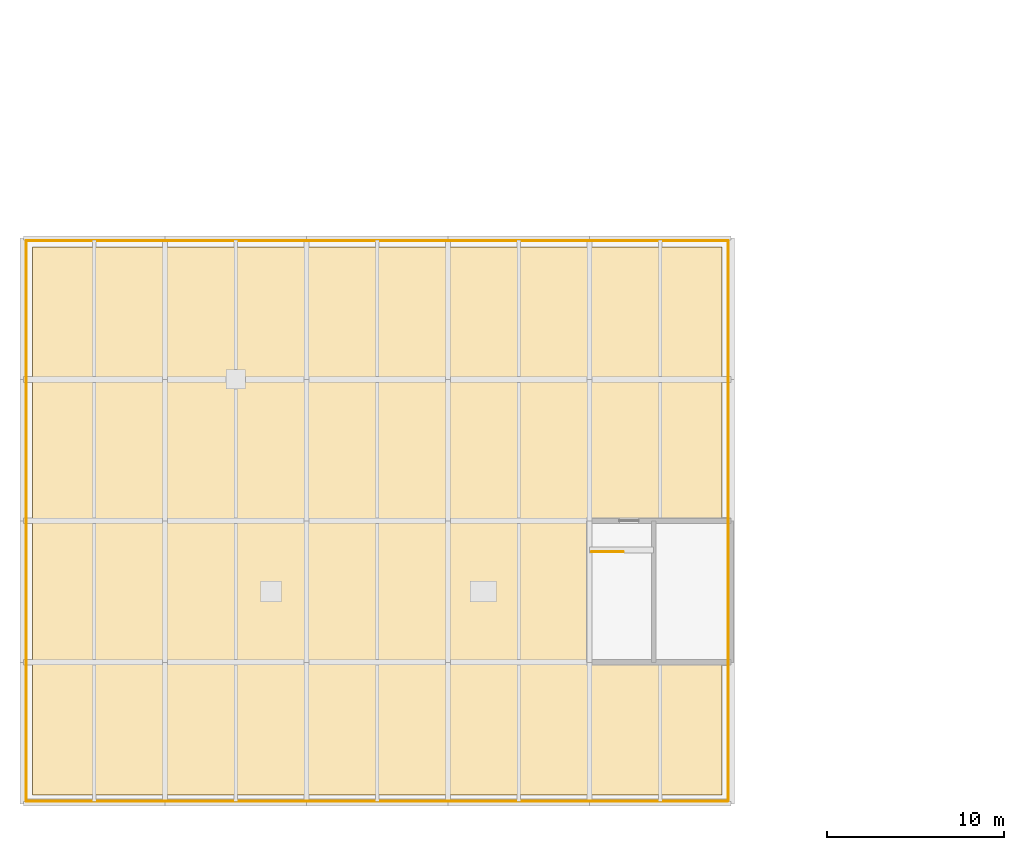
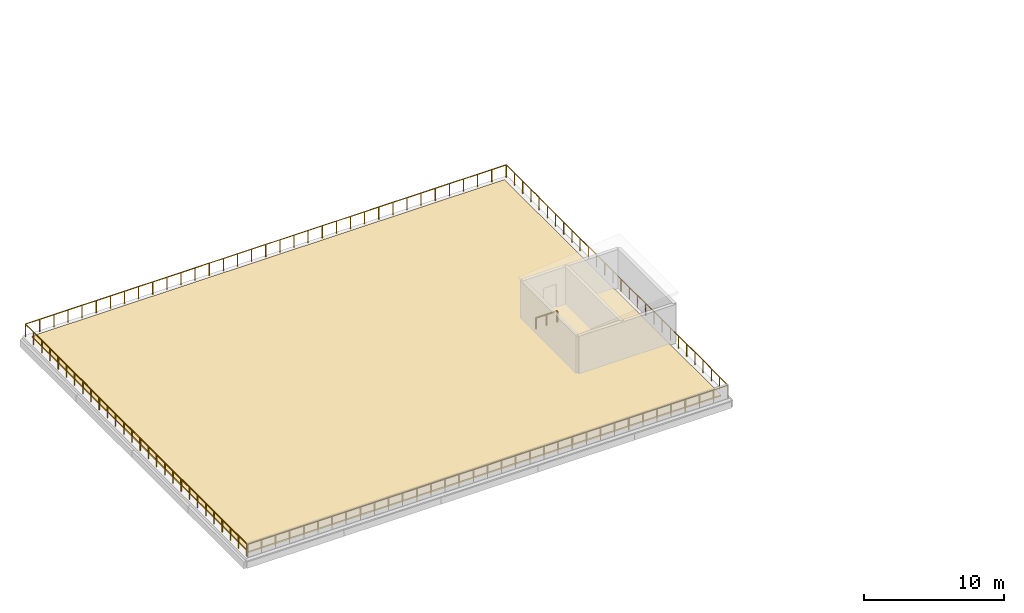
# One storey, part 11 of 15: 5 railings, 1 covering.
"""IFC4 building model written with IfcOpenShell, lengths in metres."""

from ifc_helpers import new_model, si_unit, direction, frame, origin, origin_2d, place, context, subcontext, project, spatial, polyline, circle, outline, extrude, material, layer, layer_set, type_object, element, save


model = new_model("IFC4")

# Units and contexts
model_context = context("Model", 3, precision=1e-05, world=origin(), true_north=direction((0.0, 1.0)))
body_context = subcontext(model_context, "Body", "Model", "MODEL_VIEW")
ifc_project = project(units=[si_unit("LENGTHUNIT", "METRE"), si_unit("AREAUNIT", "SQUARE_METRE"), si_unit("VOLUMEUNIT", "CUBIC_METRE"), si_unit("PLANEANGLEUNIT", "RADIAN"), si_unit("MASSUNIT", "GRAM", prefix="KILO")], contexts=[model_context])

# Site, building, storey
site_placement = place(None, origin())
site = spatial("IfcSite", under=ifc_project, at=site_placement, CompositionType="ELEMENT")
building_placement = place(site_placement, origin())
building = spatial("IfcBuilding", under=site, at=building_placement, Name="Vharandega Faculty of Natural Sciences", CompositionType="ELEMENT")
storey_placement = place(building_placement, frame((0.0, 0.0, 32.39990234375)))
storey = spatial("IfcBuildingStorey", under=building, at=storey_placement, Name="L08", CompositionType="ELEMENT", Elevation=32.39990234375)

# Covering
ifc_material_1 = material(Name="Planted green roof substrate and membrane", Category="concrete")
ifc_layer = layer(ifc_material_1, 0.1201171875, Name="Planted green roof substrate and membrane")
ifc_layer_set = layer_set([ifc_layer], Name="Planted green roof substrate and membrane")
covering_type = type_object("IfcCoveringType", Name="Planted Intensive Green Roof Build-Up", PredefinedType="ROOFING", material=ifc_layer_set)
covering_placement = place(storey_placement, origin())
element("IfcCovering", 1, at=covering_placement, inside=storey, type_object=covering_type, Name="Roof Covering L08-04", PredefinedType="ROOFING", context=body_context, shape_type="SweptSolid", body=[
    extrude(outline(polyline([(0.5, 32.5), (39.5, 32.5), (39.5, 63.5), (0.5, 63.5), (0.5, 32.5)])), origin(), (0.0, 0.0, 1.0), 0.1201171875),
])

# Railings
ifc_material_2 = material(Name="Painted steel stair guardrail", Category="steel")
railing_type_1 = type_object("IfcRailingType", Name="Stairwell Steel Guardrail 1100", PredefinedType="GUARDRAIL", material=ifc_material_2)
railing_1_placement = place(storey_placement, frame((32.139892578125, 46.260009765625, 0.0)))
element("IfcRailing", 2, at=railing_1_placement, inside=storey, type_object=railing_type_1, Name="L08 ST3 top well guard 1", PredefinedType="GUARDRAIL", context=body_context, shape_type="SweptSolid", body=[
    extrude(circle(Radius=0.02392578125, at=origin_2d()), frame((0.0, 0.0, 1.076171875), z_axis=(1.0, 0.0, 0.0), x_axis=(0.0, 1.0, 0.0)), (0.0, 0.0, 1.0), 1.77001953125),
    extrude(circle(Radius=0.02099609375, at=origin_2d()), origin(), (0.0, 0.0, 1.0), 1.052001953125),
    extrude(circle(Radius=0.02099609375, at=origin_2d()), frame((0.885009765625, 0.0, 0.0)), (0.0, 0.0, 1.0), 1.052001953125),
    extrude(circle(Radius=0.02099609375, at=origin_2d()), frame((1.77001953125, 0.0, 0.0)), (0.0, 0.0, 1.0), 1.052001953125),
])
ifc_material_3 = material(Name="Galvanised painted steel balustrade", Category="steel")
railing_type_2 = type_object("IfcRailingType", Name="Terrace Steel Guardrail 1100", PredefinedType="GUARDRAIL", material=ifc_material_3)
railing_2_placement = place(storey_placement, frame((0.175048828125, 32.14990234375, 0.0)))
element("IfcRailing", 3, at=railing_2_placement, inside=storey, type_object=railing_type_2, Name="Guardrail L08 #1", PredefinedType="GUARDRAIL", context=body_context, shape_type="SweptSolid", body=[
    extrude(circle(Radius=0.02392578125, at=origin_2d()), frame((0.0, 0.0, 1.076171875), z_axis=(1.0, 0.0, 0.0), x_axis=(0.0, 1.0, 0.0)), (0.0, 0.0, 1.0), 39.64990234375),
    extrude(circle(Radius=0.02099609375, at=origin_2d()), origin(), (0.0, 0.0, 1.0), 1.052001953125),
    extrude(circle(Radius=0.02099609375, at=origin_2d()), frame((1.166259765625, 0.0, 0.0)), (0.0, 0.0, 1.0), 1.052001953125),
    extrude(circle(Radius=0.02099609375, at=origin_2d()), frame((2.332275390625, 0.0, 0.0)), (0.0, 0.0, 1.0), 1.052001953125),
    extrude(circle(Radius=0.02099609375, at=origin_2d()), frame((3.49853515625, 0.0, 0.0)), (0.0, 0.0, 1.0), 1.052001953125),
    extrude(circle(Radius=0.02099609375, at=origin_2d()), frame((4.664794921875, 0.0, 0.0)), (0.0, 0.0, 1.0), 1.052001953125),
    extrude(circle(Radius=0.02099609375, at=origin_2d()), frame((5.830810546875, 0.0, 0.0)), (0.0, 0.0, 1.0), 1.052001953125),
    extrude(circle(Radius=0.02099609375, at=origin_2d()), frame((6.9970703125, 0.0, 0.0)), (0.0, 0.0, 1.0), 1.052001953125),
    extrude(circle(Radius=0.02099609375, at=origin_2d()), frame((8.163330078125, 0.0, 0.0)), (0.0, 0.0, 1.0), 1.052001953125),
    extrude(circle(Radius=0.02099609375, at=origin_2d()), frame((9.329345703125, 0.0, 0.0)), (0.0, 0.0, 1.0), 1.052001953125),
    extrude(circle(Radius=0.02099609375, at=origin_2d()), frame((10.49560546875, 0.0, 0.0)), (0.0, 0.0, 1.0), 1.052001953125),
    extrude(circle(Radius=0.02099609375, at=origin_2d()), frame((11.66162109375, 0.0, 0.0)), (0.0, 0.0, 1.0), 1.052001953125),
    extrude(circle(Radius=0.02099609375, at=origin_2d()), frame((12.827880859375, 0.0, 0.0)), (0.0, 0.0, 1.0), 1.052001953125),
    extrude(circle(Radius=0.02099609375, at=origin_2d()), frame((13.994140625, 0.0, 0.0)), (0.0, 0.0, 1.0), 1.052001953125),
    extrude(circle(Radius=0.02099609375, at=origin_2d()), frame((15.16015625, 0.0, 0.0)), (0.0, 0.0, 1.0), 1.052001953125),
    extrude(circle(Radius=0.02099609375, at=origin_2d()), frame((16.326416015625, 0.0, 0.0)), (0.0, 0.0, 1.0), 1.052001953125),
    extrude(circle(Radius=0.02099609375, at=origin_2d()), frame((17.49267578125, 0.0, 0.0)), (0.0, 0.0, 1.0), 1.052001953125),
    extrude(circle(Radius=0.02099609375, at=origin_2d()), frame((18.65869140625, 0.0, 0.0)), (0.0, 0.0, 1.0), 1.052001953125),
    extrude(circle(Radius=0.02099609375, at=origin_2d()), frame((19.824951171875, 0.0, 0.0)), (0.0, 0.0, 1.0), 1.052001953125),
    extrude(circle(Radius=0.02099609375, at=origin_2d()), frame((20.9912109375, 0.0, 0.0)), (0.0, 0.0, 1.0), 1.052001953125),
    extrude(circle(Radius=0.02099609375, at=origin_2d()), frame((22.1572265625, 0.0, 0.0)), (0.0, 0.0, 1.0), 1.052001953125),
    extrude(circle(Radius=0.02099609375, at=origin_2d()), frame((23.323486328125, 0.0, 0.0)), (0.0, 0.0, 1.0), 1.052001953125),
    extrude(circle(Radius=0.02099609375, at=origin_2d()), frame((24.48974609375, 0.0, 0.0)), (0.0, 0.0, 1.0), 1.052001953125),
    extrude(circle(Radius=0.02099609375, at=origin_2d()), frame((25.65576171875, 0.0, 0.0)), (0.0, 0.0, 1.0), 1.052001953125),
    extrude(circle(Radius=0.02099609375, at=origin_2d()), frame((26.822021484375, 0.0, 0.0)), (0.0, 0.0, 1.0), 1.052001953125),
    extrude(circle(Radius=0.02099609375, at=origin_2d()), frame((27.98828125, 0.0, 0.0)), (0.0, 0.0, 1.0), 1.052001953125),
    extrude(circle(Radius=0.02099609375, at=origin_2d()), frame((29.154296875, 0.0, 0.0)), (0.0, 0.0, 1.0), 1.052001953125),
    extrude(circle(Radius=0.02099609375, at=origin_2d()), frame((30.320556640625, 0.0, 0.0)), (0.0, 0.0, 1.0), 1.052001953125),
    extrude(circle(Radius=0.02099609375, at=origin_2d()), frame((31.486572265625, 0.0, 0.0)), (0.0, 0.0, 1.0), 1.052001953125),
    extrude(circle(Radius=0.02099609375, at=origin_2d()), frame((32.65283203125, 0.0, 0.0)), (0.0, 0.0, 1.0), 1.052001953125),
    extrude(circle(Radius=0.02099609375, at=origin_2d()), frame((33.819091796875, 0.0, 0.0)), (0.0, 0.0, 1.0), 1.052001953125),
    extrude(circle(Radius=0.02099609375, at=origin_2d()), frame((34.985107421875, 0.0, 0.0)), (0.0, 0.0, 1.0), 1.052001953125),
    extrude(circle(Radius=0.02099609375, at=origin_2d()), frame((36.1513671875, 0.0, 0.0)), (0.0, 0.0, 1.0), 1.052001953125),
    extrude(circle(Radius=0.02099609375, at=origin_2d()), frame((37.317626953125, 0.0, 0.0)), (0.0, 0.0, 1.0), 1.052001953125),
    extrude(circle(Radius=0.02099609375, at=origin_2d()), frame((38.483642578125, 0.0, 0.0)), (0.0, 0.0, 1.0), 1.052001953125),
    extrude(circle(Radius=0.02099609375, at=origin_2d()), frame((39.64990234375, 0.0, 0.0)), (0.0, 0.0, 1.0), 1.052001953125),
])
railing_3_placement = place(storey_placement, frame((39.85009765625, 32.175048828125, 0.0)))
element("IfcRailing", 4, at=railing_3_placement, inside=storey, type_object=railing_type_2, Name="Guardrail L08 #2", PredefinedType="GUARDRAIL", context=body_context, shape_type="SweptSolid", body=[
    extrude(circle(Radius=0.02392578125, at=origin_2d()), frame((0.0, 0.0, 1.076171875), z_axis=(0.0, 1.0, 0.0), x_axis=(-1.0, 0.0, 0.0)), (0.0, 0.0, 1.0), 31.64990234375),
    extrude(circle(Radius=0.02099609375, at=origin_2d()), origin(), (0.0, 0.0, 1.0), 1.052001953125),
    extrude(circle(Radius=0.02099609375, at=origin_2d()), frame((0.0, 1.172119140625, 0.0)), (0.0, 0.0, 1.0), 1.052001953125),
    extrude(circle(Radius=0.02099609375, at=origin_2d()), frame((0.0, 2.344482421875, 0.0)), (0.0, 0.0, 1.0), 1.052001953125),
    extrude(circle(Radius=0.02099609375, at=origin_2d()), frame((0.0, 3.5166015625, 0.0)), (0.0, 0.0, 1.0), 1.052001953125),
    extrude(circle(Radius=0.02099609375, at=origin_2d()), frame((0.0, 4.68896484375, 0.0)), (0.0, 0.0, 1.0), 1.052001953125),
    extrude(circle(Radius=0.02099609375, at=origin_2d()), frame((0.0, 5.861083984375, 0.0)), (0.0, 0.0, 1.0), 1.052001953125),
    extrude(circle(Radius=0.02099609375, at=origin_2d()), frame((0.0, 7.033203125, 0.0)), (0.0, 0.0, 1.0), 1.052001953125),
    extrude(circle(Radius=0.02099609375, at=origin_2d()), frame((0.0, 8.20556640625, 0.0)), (0.0, 0.0, 1.0), 1.052001953125),
    extrude(circle(Radius=0.02099609375, at=origin_2d()), frame((0.0, 9.377685546875, 0.0)), (0.0, 0.0, 1.0), 1.052001953125),
    extrude(circle(Radius=0.02099609375, at=origin_2d()), frame((0.0, 10.550048828125, 0.0)), (0.0, 0.0, 1.0), 1.052001953125),
    extrude(circle(Radius=0.02099609375, at=origin_2d()), frame((0.0, 11.72216796875, 0.0)), (0.0, 0.0, 1.0), 1.052001953125),
    extrude(circle(Radius=0.02099609375, at=origin_2d()), frame((0.0, 12.894287109375, 0.0)), (0.0, 0.0, 1.0), 1.052001953125),
    extrude(circle(Radius=0.02099609375, at=origin_2d()), frame((0.0, 14.066650390625, 0.0)), (0.0, 0.0, 1.0), 1.052001953125),
    extrude(circle(Radius=0.02099609375, at=origin_2d()), frame((0.0, 15.23876953125, 0.0)), (0.0, 0.0, 1.0), 1.052001953125),
    extrude(circle(Radius=0.02099609375, at=origin_2d()), frame((0.0, 16.4111328125, 0.0)), (0.0, 0.0, 1.0), 1.052001953125),
    extrude(circle(Radius=0.02099609375, at=origin_2d()), frame((0.0, 17.583251953125, 0.0)), (0.0, 0.0, 1.0), 1.052001953125),
    extrude(circle(Radius=0.02099609375, at=origin_2d()), frame((0.0, 18.755615234375, 0.0)), (0.0, 0.0, 1.0), 1.052001953125),
    extrude(circle(Radius=0.02099609375, at=origin_2d()), frame((0.0, 19.927734375, 0.0)), (0.0, 0.0, 1.0), 1.052001953125),
    extrude(circle(Radius=0.02099609375, at=origin_2d()), frame((0.0, 21.099853515625, 0.0)), (0.0, 0.0, 1.0), 1.052001953125),
    extrude(circle(Radius=0.02099609375, at=origin_2d()), frame((0.0, 22.272216796875, 0.0)), (0.0, 0.0, 1.0), 1.052001953125),
    extrude(circle(Radius=0.02099609375, at=origin_2d()), frame((0.0, 23.4443359375, 0.0)), (0.0, 0.0, 1.0), 1.052001953125),
    extrude(circle(Radius=0.02099609375, at=origin_2d()), frame((0.0, 24.61669921875, 0.0)), (0.0, 0.0, 1.0), 1.052001953125),
    extrude(circle(Radius=0.02099609375, at=origin_2d()), frame((0.0, 25.788818359375, 0.0)), (0.0, 0.0, 1.0), 1.052001953125),
    extrude(circle(Radius=0.02099609375, at=origin_2d()), frame((0.0, 26.9609375, 0.0)), (0.0, 0.0, 1.0), 1.052001953125),
    extrude(circle(Radius=0.02099609375, at=origin_2d()), frame((0.0, 28.13330078125, 0.0)), (0.0, 0.0, 1.0), 1.052001953125),
    extrude(circle(Radius=0.02099609375, at=origin_2d()), frame((0.0, 29.305419921875, 0.0)), (0.0, 0.0, 1.0), 1.052001953125),
    extrude(circle(Radius=0.02099609375, at=origin_2d()), frame((0.0, 30.477783203125, 0.0)), (0.0, 0.0, 1.0), 1.052001953125),
    extrude(circle(Radius=0.02099609375, at=origin_2d()), frame((0.0, 31.64990234375, 0.0)), (0.0, 0.0, 1.0), 1.052001953125),
])
railing_4_placement = place(storey_placement, frame((39.824951171875, 63.85009765625, 0.0)))
element("IfcRailing", 5, at=railing_4_placement, inside=storey, type_object=railing_type_2, Name="Guardrail L08 #3", PredefinedType="GUARDRAIL", context=body_context, shape_type="SweptSolid", body=[
    extrude(circle(Radius=0.02392578125, at=origin_2d()), frame((0.0, 0.0, 1.076171875), z_axis=(-1.0, 0.0, 0.0), x_axis=(0.0, -1.0, 0.0)), (0.0, 0.0, 1.0), 39.64990234375),
    extrude(circle(Radius=0.02099609375, at=origin_2d()), origin(), (0.0, 0.0, 1.0), 1.052001953125),
    extrude(circle(Radius=0.02099609375, at=origin_2d()), frame((-1.166259765625, 0.0, 0.0)), (0.0, 0.0, 1.0), 1.052001953125),
    extrude(circle(Radius=0.02099609375, at=origin_2d()), frame((-2.332275390625, 0.0, 0.0)), (0.0, 0.0, 1.0), 1.052001953125),
    extrude(circle(Radius=0.02099609375, at=origin_2d()), frame((-3.49853515625, 0.0, 0.0)), (0.0, 0.0, 1.0), 1.052001953125),
    extrude(circle(Radius=0.02099609375, at=origin_2d()), frame((-4.664794921875, 0.0, 0.0)), (0.0, 0.0, 1.0), 1.052001953125),
    extrude(circle(Radius=0.02099609375, at=origin_2d()), frame((-5.830810546875, 0.0, 0.0)), (0.0, 0.0, 1.0), 1.052001953125),
    extrude(circle(Radius=0.02099609375, at=origin_2d()), frame((-6.9970703125, 0.0, 0.0)), (0.0, 0.0, 1.0), 1.052001953125),
    extrude(circle(Radius=0.02099609375, at=origin_2d()), frame((-8.163330078125, 0.0, 0.0)), (0.0, 0.0, 1.0), 1.052001953125),
    extrude(circle(Radius=0.02099609375, at=origin_2d()), frame((-9.329345703125, 0.0, 0.0)), (0.0, 0.0, 1.0), 1.052001953125),
    extrude(circle(Radius=0.02099609375, at=origin_2d()), frame((-10.49560546875, 0.0, 0.0)), (0.0, 0.0, 1.0), 1.052001953125),
    extrude(circle(Radius=0.02099609375, at=origin_2d()), frame((-11.66162109375, 0.0, 0.0)), (0.0, 0.0, 1.0), 1.052001953125),
    extrude(circle(Radius=0.02099609375, at=origin_2d()), frame((-12.827880859375, 0.0, 0.0)), (0.0, 0.0, 1.0), 1.052001953125),
    extrude(circle(Radius=0.02099609375, at=origin_2d()), frame((-13.994140625, 0.0, 0.0)), (0.0, 0.0, 1.0), 1.052001953125),
    extrude(circle(Radius=0.02099609375, at=origin_2d()), frame((-15.16015625, 0.0, 0.0)), (0.0, 0.0, 1.0), 1.052001953125),
    extrude(circle(Radius=0.02099609375, at=origin_2d()), frame((-16.326416015625, 0.0, 0.0)), (0.0, 0.0, 1.0), 1.052001953125),
    extrude(circle(Radius=0.02099609375, at=origin_2d()), frame((-17.49267578125, 0.0, 0.0)), (0.0, 0.0, 1.0), 1.052001953125),
    extrude(circle(Radius=0.02099609375, at=origin_2d()), frame((-18.65869140625, 0.0, 0.0)), (0.0, 0.0, 1.0), 1.052001953125),
    extrude(circle(Radius=0.02099609375, at=origin_2d()), frame((-19.824951171875, 0.0, 0.0)), (0.0, 0.0, 1.0), 1.052001953125),
    extrude(circle(Radius=0.02099609375, at=origin_2d()), frame((-20.9912109375, 0.0, 0.0)), (0.0, 0.0, 1.0), 1.052001953125),
    extrude(circle(Radius=0.02099609375, at=origin_2d()), frame((-22.1572265625, 0.0, 0.0)), (0.0, 0.0, 1.0), 1.052001953125),
    extrude(circle(Radius=0.02099609375, at=origin_2d()), frame((-23.323486328125, 0.0, 0.0)), (0.0, 0.0, 1.0), 1.052001953125),
    extrude(circle(Radius=0.02099609375, at=origin_2d()), frame((-24.48974609375, 0.0, 0.0)), (0.0, 0.0, 1.0), 1.052001953125),
    extrude(circle(Radius=0.02099609375, at=origin_2d()), frame((-25.65576171875, 0.0, 0.0)), (0.0, 0.0, 1.0), 1.052001953125),
    extrude(circle(Radius=0.02099609375, at=origin_2d()), frame((-26.822021484375, 0.0, 0.0)), (0.0, 0.0, 1.0), 1.052001953125),
    extrude(circle(Radius=0.02099609375, at=origin_2d()), frame((-27.98828125, 0.0, 0.0)), (0.0, 0.0, 1.0), 1.052001953125),
    extrude(circle(Radius=0.02099609375, at=origin_2d()), frame((-29.154296875, 0.0, 0.0)), (0.0, 0.0, 1.0), 1.052001953125),
    extrude(circle(Radius=0.02099609375, at=origin_2d()), frame((-30.320556640625, 0.0, 0.0)), (0.0, 0.0, 1.0), 1.052001953125),
    extrude(circle(Radius=0.02099609375, at=origin_2d()), frame((-31.486572265625, 0.0, 0.0)), (0.0, 0.0, 1.0), 1.052001953125),
    extrude(circle(Radius=0.02099609375, at=origin_2d()), frame((-32.65283203125, 0.0, 0.0)), (0.0, 0.0, 1.0), 1.052001953125),
    extrude(circle(Radius=0.02099609375, at=origin_2d()), frame((-33.819091796875, 0.0, 0.0)), (0.0, 0.0, 1.0), 1.052001953125),
    extrude(circle(Radius=0.02099609375, at=origin_2d()), frame((-34.985107421875, 0.0, 0.0)), (0.0, 0.0, 1.0), 1.052001953125),
    extrude(circle(Radius=0.02099609375, at=origin_2d()), frame((-36.1513671875, 0.0, 0.0)), (0.0, 0.0, 1.0), 1.052001953125),
    extrude(circle(Radius=0.02099609375, at=origin_2d()), frame((-37.317626953125, 0.0, 0.0)), (0.0, 0.0, 1.0), 1.052001953125),
    extrude(circle(Radius=0.02099609375, at=origin_2d()), frame((-38.483642578125, 0.0, 0.0)), (0.0, 0.0, 1.0), 1.052001953125),
    extrude(circle(Radius=0.02099609375, at=origin_2d()), frame((-39.64990234375, 0.0, 0.0)), (0.0, 0.0, 1.0), 1.052001953125),
])
railing_5_placement = place(storey_placement, frame((0.14990234375, 63.824951171875, 0.0)))
element("IfcRailing", 6, at=railing_5_placement, inside=storey, type_object=railing_type_2, Name="Guardrail L08 #4", PredefinedType="GUARDRAIL", context=body_context, shape_type="SweptSolid", body=[
    extrude(circle(Radius=0.02392578125, at=origin_2d()), frame((0.0, 0.0, 1.076171875), z_axis=(0.0, -1.0, 0.0), x_axis=(1.0, 0.0, 0.0)), (0.0, 0.0, 1.0), 31.64990234375),
    extrude(circle(Radius=0.02099609375, at=origin_2d()), origin(), (0.0, 0.0, 1.0), 1.052001953125),
    extrude(circle(Radius=0.02099609375, at=origin_2d()), frame((0.0, -1.172119140625, 0.0)), (0.0, 0.0, 1.0), 1.052001953125),
    extrude(circle(Radius=0.02099609375, at=origin_2d()), frame((0.0, -2.344482421875, 0.0)), (0.0, 0.0, 1.0), 1.052001953125),
    extrude(circle(Radius=0.02099609375, at=origin_2d()), frame((0.0, -3.5166015625, 0.0)), (0.0, 0.0, 1.0), 1.052001953125),
    extrude(circle(Radius=0.02099609375, at=origin_2d()), frame((0.0, -4.68896484375, 0.0)), (0.0, 0.0, 1.0), 1.052001953125),
    extrude(circle(Radius=0.02099609375, at=origin_2d()), frame((0.0, -5.861083984375, 0.0)), (0.0, 0.0, 1.0), 1.052001953125),
    extrude(circle(Radius=0.02099609375, at=origin_2d()), frame((0.0, -7.033203125, 0.0)), (0.0, 0.0, 1.0), 1.052001953125),
    extrude(circle(Radius=0.02099609375, at=origin_2d()), frame((0.0, -8.20556640625, 0.0)), (0.0, 0.0, 1.0), 1.052001953125),
    extrude(circle(Radius=0.02099609375, at=origin_2d()), frame((0.0, -9.377685546875, 0.0)), (0.0, 0.0, 1.0), 1.052001953125),
    extrude(circle(Radius=0.02099609375, at=origin_2d()), frame((0.0, -10.550048828125, 0.0)), (0.0, 0.0, 1.0), 1.052001953125),
    extrude(circle(Radius=0.02099609375, at=origin_2d()), frame((0.0, -11.72216796875, 0.0)), (0.0, 0.0, 1.0), 1.052001953125),
    extrude(circle(Radius=0.02099609375, at=origin_2d()), frame((0.0, -12.894287109375, 0.0)), (0.0, 0.0, 1.0), 1.052001953125),
    extrude(circle(Radius=0.02099609375, at=origin_2d()), frame((0.0, -14.066650390625, 0.0)), (0.0, 0.0, 1.0), 1.052001953125),
    extrude(circle(Radius=0.02099609375, at=origin_2d()), frame((0.0, -15.23876953125, 0.0)), (0.0, 0.0, 1.0), 1.052001953125),
    extrude(circle(Radius=0.02099609375, at=origin_2d()), frame((0.0, -16.4111328125, 0.0)), (0.0, 0.0, 1.0), 1.052001953125),
    extrude(circle(Radius=0.02099609375, at=origin_2d()), frame((0.0, -17.583251953125, 0.0)), (0.0, 0.0, 1.0), 1.052001953125),
    extrude(circle(Radius=0.02099609375, at=origin_2d()), frame((0.0, -18.755615234375, 0.0)), (0.0, 0.0, 1.0), 1.052001953125),
    extrude(circle(Radius=0.02099609375, at=origin_2d()), frame((0.0, -19.927734375, 0.0)), (0.0, 0.0, 1.0), 1.052001953125),
    extrude(circle(Radius=0.02099609375, at=origin_2d()), frame((0.0, -21.099853515625, 0.0)), (0.0, 0.0, 1.0), 1.052001953125),
    extrude(circle(Radius=0.02099609375, at=origin_2d()), frame((0.0, -22.272216796875, 0.0)), (0.0, 0.0, 1.0), 1.052001953125),
    extrude(circle(Radius=0.02099609375, at=origin_2d()), frame((0.0, -23.4443359375, 0.0)), (0.0, 0.0, 1.0), 1.052001953125),
    extrude(circle(Radius=0.02099609375, at=origin_2d()), frame((0.0, -24.61669921875, 0.0)), (0.0, 0.0, 1.0), 1.052001953125),
    extrude(circle(Radius=0.02099609375, at=origin_2d()), frame((0.0, -25.788818359375, 0.0)), (0.0, 0.0, 1.0), 1.052001953125),
    extrude(circle(Radius=0.02099609375, at=origin_2d()), frame((0.0, -26.9609375, 0.0)), (0.0, 0.0, 1.0), 1.052001953125),
    extrude(circle(Radius=0.02099609375, at=origin_2d()), frame((0.0, -28.13330078125, 0.0)), (0.0, 0.0, 1.0), 1.052001953125),
    extrude(circle(Radius=0.02099609375, at=origin_2d()), frame((0.0, -29.305419921875, 0.0)), (0.0, 0.0, 1.0), 1.052001953125),
    extrude(circle(Radius=0.02099609375, at=origin_2d()), frame((0.0, -30.477783203125, 0.0)), (0.0, 0.0, 1.0), 1.052001953125),
    extrude(circle(Radius=0.02099609375, at=origin_2d()), frame((0.0, -31.64990234375, 0.0)), (0.0, 0.0, 1.0), 1.052001953125),
])

save(model, "model.ifc")
